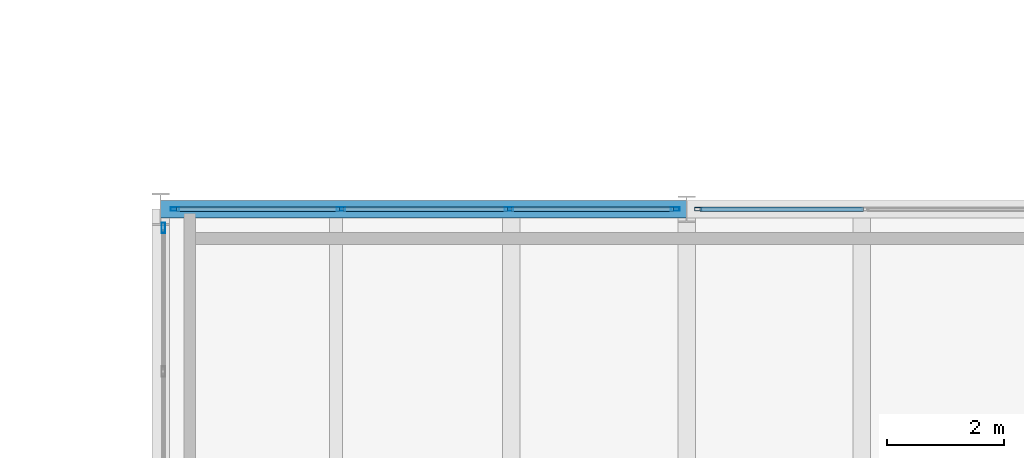
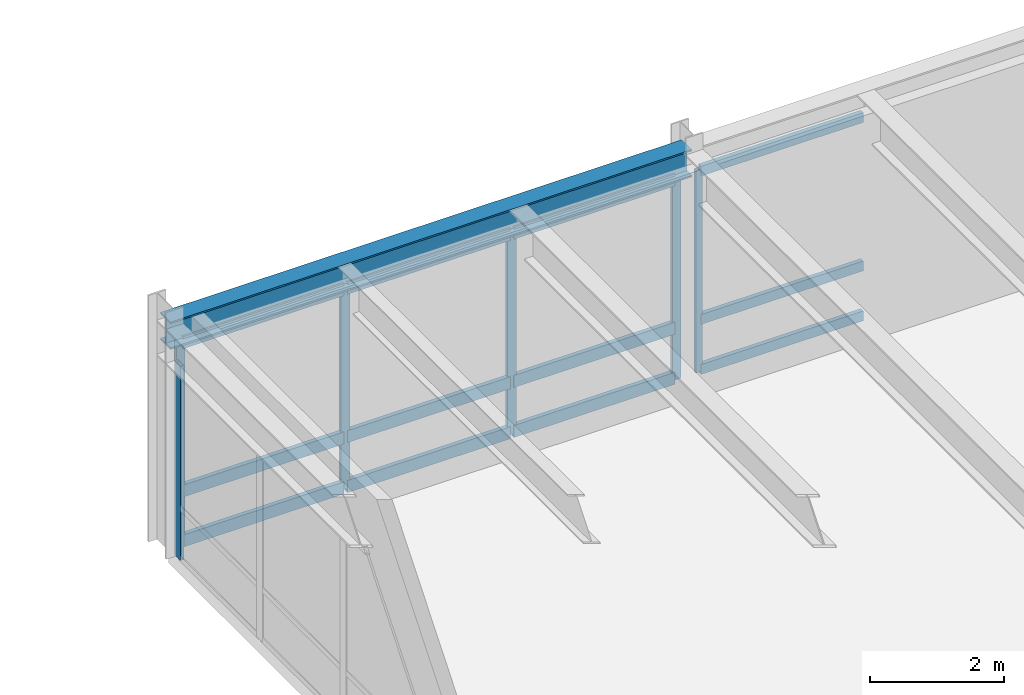
# One storey, part 85 of 142: 18 members, 1 beam, 3 elements without a shape of their own.
"""IFC4 building model written with IfcOpenShell, lengths in metres."""

from ifc_helpers import new_model, si_unit, direction, frame, origin, origin_2d, place, context, subcontext, project, spatial, hollow_rectangle, i_section, extrude, material, layer, layer_set, material_profile, profile_set, type_object, element, aggregate, save


model = new_model("IFC4")

# Units and contexts
model_context = context("Model", 3, precision=1e-05, world=origin(), true_north=direction((0.0, 1.0)))
body_context = subcontext(model_context, "Body", "Model", "MODEL_VIEW")
ifc_project = project(units=[si_unit("LENGTHUNIT", "METRE"), si_unit("AREAUNIT", "SQUARE_METRE"), si_unit("VOLUMEUNIT", "CUBIC_METRE"), si_unit("PLANEANGLEUNIT", "RADIAN"), si_unit("MASSUNIT", "GRAM", prefix="KILO")], contexts=[model_context])

# Site, building, storey
site_placement = place(None, origin())
site = spatial("IfcSite", under=ifc_project, at=site_placement, CompositionType="ELEMENT")
building_placement = place(site_placement, origin())
building = spatial("IfcBuilding", under=site, at=building_placement, Name="Montelvaro Courts of Justice", CompositionType="ELEMENT")
storey_placement = place(building_placement, frame((0.0, 0.0, 14.39990234375)))
storey = spatial("IfcBuildingStorey", under=building, at=storey_placement, Name="L03", CompositionType="ELEMENT", Elevation=14.39990234375)

# Beam
ifc_material_1 = material(Name="Steel S355", Category="steel")
ifc_material_profile_1 = material_profile(ifc_material_1, i_section(OverallWidth=0.300048828125, OverallDepth=0.5, WebThickness=0.014404296875, FlangeThickness=0.028076171875, at=origin_2d()), Name="HEB 500")
ifc_profile_set_1 = profile_set([ifc_material_profile_1], Name="Steel S355")
beam_type = type_object("IfcBeamType", Name="Beam_HEB500", PredefinedType="USERDEFINED", material=ifc_profile_set_1)
beam_placement = place(storey_placement, frame((99.0, 96.0, 3.9501953125), z_axis=(1.0, 0.0, 0.0), x_axis=(0.0, 1.0, 0.0)))
element("IfcBeam", 1, at=beam_placement, inside=storey, type_object=beam_type, Name="Beam B-25 L03", ObjectType="GIRDER", PredefinedType="USERDEFINED", context=body_context, shape_type="SweptSolid", body=[
    extrude(i_section(OverallWidth=0.300048828125, OverallDepth=0.5, WebThickness=0.014404296875, FlangeThickness=0.028076171875, at=origin_2d()), origin(), (0.0, 0.0, 1.0), 9.0),
])

# Curtain wall, member
ifc_material_2 = material(Name="Anodised aluminium EN AW-6063", Category="aluminium")
ifc_layer_1 = layer(ifc_material_2, 0.159912109375)
ifc_layer_set_1 = layer_set([ifc_layer_1], Name="Anodised aluminium EN AW-6063")
curtain_wall_type_1 = type_object("IfcCurtainWallType", Name="CurtainWall_14_867x418", PredefinedType="USERDEFINED", material=ifc_layer_set_1)
curtain_wall_1_placement = place(storey_placement, origin())
curtain_wall_1 = element("IfcCurtainWall", 2, at=curtain_wall_1_placement, inside=storey, type_object=curtain_wall_type_1, Name="Curtain Wall CW-14 (L03)", ObjectType="CURTAIN WALL", PredefinedType="USERDEFINED")
ifc_material_profile_2 = material_profile(ifc_material_2, hollow_rectangle(XDim=0.06005859375, YDim=0.1201171875, WallThickness=0.00341796875, at=origin_2d()), Name="ALU-M 60x120")
ifc_profile_set_2 = profile_set([ifc_material_profile_2], Name="Anodised aluminium EN AW-6063")
member_type_1 = type_object("IfcMemberType", Name="CurtainWall_Mullion_60x120", PredefinedType="MULLION", material=ifc_profile_set_2)
member_1_placement = place(storey_placement, frame((108.195068359375, 96.0, 0.0), z_axis=(0.0, 0.0, 1.0), x_axis=(0.0, -1.0, 0.0)))
member_1 = element("IfcMember", 3, at=member_1_placement, type_object=member_type_1, Name="CW-14 mullion 4", PredefinedType="MULLION", context=body_context, shape_type="SweptSolid", body=[
    extrude(hollow_rectangle(XDim=0.06005859375, YDim=0.1201171875, WallThickness=0.00341796875, at=origin_2d()), origin(), (0.0, 0.0, 1.0), 3.695068359375),
])

# Curtain wall, members
ifc_layer_2 = layer(ifc_material_2, 0.159912109375)
ifc_layer_set_2 = layer_set([ifc_layer_2], Name="Anodised aluminium EN AW-6063")
curtain_wall_type_2 = type_object("IfcCurtainWallType", Name="CurtainWall_17_861x418", PredefinedType="USERDEFINED", material=ifc_layer_set_2)
curtain_wall_2_placement = place(storey_placement, origin())
curtain_wall_2 = element("IfcCurtainWall", 4, at=curtain_wall_2_placement, inside=storey, type_object=curtain_wall_type_2, Name="Curtain Wall CW-17 (L03)", ObjectType="CURTAIN WALL", PredefinedType="USERDEFINED")
ifc_material_profile_3 = material_profile(ifc_material_2, hollow_rectangle(XDim=0.06005859375, YDim=0.14990234375, WallThickness=0.00390625, at=origin_2d()), Name="ALU-M 60x150")
ifc_profile_set_3 = profile_set([ifc_material_profile_3], Name="Anodised aluminium EN AW-6063")
member_type_2 = type_object("IfcMemberType", Name="CurtainWall_Mullion_60x150", PredefinedType="MULLION", material=ifc_profile_set_3)
member_2_placement = place(storey_placement, frame((107.804931640625, 96.0, 0.0), z_axis=(0.0, 0.0, 1.0), x_axis=(0.0, -1.0, 0.0)))
member_2 = element("IfcMember", 5, at=member_2_placement, type_object=member_type_2, Name="CW-17 mullion 1", PredefinedType="MULLION", context=body_context, shape_type="SweptSolid", body=[
    extrude(hollow_rectangle(XDim=0.06005859375, YDim=0.14990234375, WallThickness=0.00390625, at=origin_2d()), origin(), (0.0, 0.0, 1.0), 3.695068359375),
])
member_3_placement = place(storey_placement, frame((104.961669921875, 96.0, 0.0), z_axis=(0.0, 0.0, 1.0), x_axis=(0.0, -1.0, 0.0)))
member_3 = element("IfcMember", 6, at=member_3_placement, type_object=member_type_2, Name="CW-17 mullion 2", PredefinedType="MULLION", context=body_context, shape_type="SweptSolid", body=[
    extrude(hollow_rectangle(XDim=0.06005859375, YDim=0.14990234375, WallThickness=0.00390625, at=origin_2d()), origin(), (0.0, 0.0, 1.0), 3.695068359375),
])
member_4_placement = place(storey_placement, frame((102.08837890625, 96.0, 0.0), z_axis=(0.0, 0.0, 1.0), x_axis=(0.0, -1.0, 0.0)))
member_4 = element("IfcMember", 7, at=member_4_placement, type_object=member_type_2, Name="CW-17 mullion 3", PredefinedType="MULLION", context=body_context, shape_type="SweptSolid", body=[
    extrude(hollow_rectangle(XDim=0.06005859375, YDim=0.14990234375, WallThickness=0.00390625, at=origin_2d()), origin(), (0.0, 0.0, 1.0), 3.695068359375),
])
member_5_placement = place(storey_placement, frame((99.2451171875, 96.0, 0.0), z_axis=(0.0, 0.0, 1.0), x_axis=(0.0, -1.0, 0.0)))
member_5 = element("IfcMember", 8, at=member_5_placement, type_object=member_type_2, Name="CW-17 mullion 4", PredefinedType="MULLION", context=body_context, shape_type="SweptSolid", body=[
    extrude(hollow_rectangle(XDim=0.06005859375, YDim=0.14990234375, WallThickness=0.00390625, at=origin_2d()), origin(), (0.0, 0.0, 1.0), 3.695068359375),
])

# Curtain wall, member
ifc_layer_3 = layer(ifc_material_2, 0.159912109375)
ifc_layer_set_3 = layer_set([ifc_layer_3], Name="Anodised aluminium EN AW-6063")
curtain_wall_type_3 = type_object("IfcCurtainWallType", Name="CurtainWall_30_1742x418", PredefinedType="USERDEFINED", material=ifc_layer_set_3)
curtain_wall_3_placement = place(storey_placement, origin())
curtain_wall_3 = element("IfcCurtainWall", 9, at=curtain_wall_3_placement, inside=storey, type_object=curtain_wall_type_3, Name="Curtain Wall CW-30 (L03)", ObjectType="CURTAIN WALL", PredefinedType="USERDEFINED")
ifc_material_profile_4 = material_profile(ifc_material_2, hollow_rectangle(XDim=0.06005859375, YDim=0.179931640625, WallThickness=0.00439453125, at=origin_2d()), Name="ALU-M 60x180")
ifc_profile_set_4 = profile_set([ifc_material_profile_4], Name="Anodised aluminium EN AW-6063")
member_type_3 = type_object("IfcMemberType", Name="CurtainWall_Mullion_60x180", PredefinedType="MULLION", material=ifc_profile_set_4)
member_6_placement = place(storey_placement, frame((99.050048828125, 95.679931640625, 0.0), z_axis=(0.0, 0.0, 1.0), x_axis=(1.0, 0.0, 0.0)))
member_6 = element("IfcMember", 10, at=member_6_placement, type_object=member_type_3, Name="CW-30 mullion 1", PredefinedType="MULLION", context=body_context, shape_type="SweptSolid", body=[
    extrude(hollow_rectangle(XDim=0.06005859375, YDim=0.179931640625, WallThickness=0.00439453125, at=origin_2d()), origin(), (0.0, 0.0, 1.0), 3.545166015625),
])
aggregate(curtain_wall_3, [member_6])

# Member
ifc_material_profile_5 = material_profile(ifc_material_2, hollow_rectangle(XDim=0.074951171875, YDim=0.179931640625, WallThickness=0.0048828125, at=origin_2d()), Name="ALU-T 75x180")
ifc_profile_set_5 = profile_set([ifc_material_profile_5], Name="Anodised aluminium EN AW-6063")
member_type_4 = type_object("IfcMemberType", Name="CurtainWall_Transom_75x180", PredefinedType="USERDEFINED", material=ifc_profile_set_5)
member_7_placement = place(storey_placement, frame((111.02490234375, 96.0, 0.03759765625), z_axis=(-1.0, 0.0, 0.0), x_axis=(0.0, -1.0, 0.0)))
member_7 = element("IfcMember", 11, at=member_7_placement, type_object=member_type_4, Name="CW-14 transom 3.1", ObjectType="TRANSOM", PredefinedType="USERDEFINED", context=body_context, shape_type="SweptSolid", body=[
    extrude(hollow_rectangle(XDim=0.074951171875, YDim=0.179931640625, WallThickness=0.0048828125, at=origin_2d()), origin(), (0.0, 0.0, 1.0), 2.7998046875),
])

member_8_placement = place(storey_placement, frame((111.02490234375, 96.0, 0.9501953125), z_axis=(-1.0, 0.0, 0.0), x_axis=(0.0, -1.0, 0.0)))
member_8 = element("IfcMember", 12, at=member_8_placement, type_object=member_type_4, Name="CW-14 transom 3.2", ObjectType="TRANSOM", PredefinedType="USERDEFINED", context=body_context, shape_type="SweptSolid", body=[
    extrude(hollow_rectangle(XDim=0.074951171875, YDim=0.179931640625, WallThickness=0.0048828125, at=origin_2d()), origin(), (0.0, 0.0, 1.0), 2.7998046875),
])

member_9_placement = place(storey_placement, frame((111.02490234375, 96.0, 3.65771484375), z_axis=(-1.0, 0.0, 0.0), x_axis=(0.0, -1.0, 0.0)))
member_9 = element("IfcMember", 13, at=member_9_placement, type_object=member_type_4, Name="CW-14 transom 3.3", ObjectType="TRANSOM", PredefinedType="USERDEFINED", context=body_context, shape_type="SweptSolid", body=[
    extrude(hollow_rectangle(XDim=0.074951171875, YDim=0.179931640625, WallThickness=0.0048828125, at=origin_2d()), origin(), (0.0, 0.0, 1.0), 2.7998046875),
])

aggregate(curtain_wall_1, [member_1, member_7, member_8, member_9])

ifc_material_profile_6 = material_profile(ifc_material_2, hollow_rectangle(XDim=0.074951171875, YDim=0.219970703125, WallThickness=0.005615234375, at=origin_2d()), Name="ALU-T 75x220")
ifc_profile_set_6 = profile_set([ifc_material_profile_6], Name="Anodised aluminium EN AW-6063")
member_type_5 = type_object("IfcMemberType", Name="CurtainWall_Transom_75x220", PredefinedType="USERDEFINED", material=ifc_profile_set_6)
member_10_placement = place(storey_placement, frame((107.77490234375, 96.0, 0.03759765625), z_axis=(-1.0, 0.0, 0.0), x_axis=(0.0, -1.0, 0.0)))
member_10 = element("IfcMember", 14, at=member_10_placement, type_object=member_type_5, Name="CW-17 transom 1.1", ObjectType="TRANSOM", PredefinedType="USERDEFINED", context=body_context, shape_type="SweptSolid", body=[
    extrude(hollow_rectangle(XDim=0.074951171875, YDim=0.219970703125, WallThickness=0.005615234375, at=origin_2d()), origin(), (0.0, 0.0, 1.0), 2.783203125),
])

member_11_placement = place(storey_placement, frame((107.77490234375, 96.0, 0.9501953125), z_axis=(-1.0, 0.0, 0.0), x_axis=(0.0, -1.0, 0.0)))
member_11 = element("IfcMember", 15, at=member_11_placement, type_object=member_type_5, Name="CW-17 transom 1.2", ObjectType="TRANSOM", PredefinedType="USERDEFINED", context=body_context, shape_type="SweptSolid", body=[
    extrude(hollow_rectangle(XDim=0.074951171875, YDim=0.219970703125, WallThickness=0.005615234375, at=origin_2d()), origin(), (0.0, 0.0, 1.0), 2.783203125),
])

member_12_placement = place(storey_placement, frame((107.77490234375, 96.0, 3.65771484375), z_axis=(-1.0, 0.0, 0.0), x_axis=(0.0, -1.0, 0.0)))
member_12 = element("IfcMember", 16, at=member_12_placement, type_object=member_type_5, Name="CW-17 transom 1.3", ObjectType="TRANSOM", PredefinedType="USERDEFINED", context=body_context, shape_type="SweptSolid", body=[
    extrude(hollow_rectangle(XDim=0.074951171875, YDim=0.219970703125, WallThickness=0.005615234375, at=origin_2d()), origin(), (0.0, 0.0, 1.0), 2.783203125),
])

member_13_placement = place(storey_placement, frame((104.931640625, 96.0, 0.03759765625), z_axis=(-1.0, 0.0, 0.0), x_axis=(0.0, -1.0, 0.0)))
member_13 = element("IfcMember", 17, at=member_13_placement, type_object=member_type_5, Name="CW-17 transom 2.1", ObjectType="TRANSOM", PredefinedType="USERDEFINED", context=body_context, shape_type="SweptSolid", body=[
    extrude(hollow_rectangle(XDim=0.074951171875, YDim=0.219970703125, WallThickness=0.005615234375, at=origin_2d()), origin(), (0.0, 0.0, 1.0), 2.813232421875),
])

member_14_placement = place(storey_placement, frame((104.931640625, 96.0, 0.9501953125), z_axis=(-1.0, 0.0, 0.0), x_axis=(0.0, -1.0, 0.0)))
member_14 = element("IfcMember", 18, at=member_14_placement, type_object=member_type_5, Name="CW-17 transom 2.2", ObjectType="TRANSOM", PredefinedType="USERDEFINED", context=body_context, shape_type="SweptSolid", body=[
    extrude(hollow_rectangle(XDim=0.074951171875, YDim=0.219970703125, WallThickness=0.005615234375, at=origin_2d()), origin(), (0.0, 0.0, 1.0), 2.813232421875),
])

member_15_placement = place(storey_placement, frame((104.931640625, 96.0, 3.65771484375), z_axis=(-1.0, 0.0, 0.0), x_axis=(0.0, -1.0, 0.0)))
member_15 = element("IfcMember", 19, at=member_15_placement, type_object=member_type_5, Name="CW-17 transom 2.3", ObjectType="TRANSOM", PredefinedType="USERDEFINED", context=body_context, shape_type="SweptSolid", body=[
    extrude(hollow_rectangle(XDim=0.074951171875, YDim=0.219970703125, WallThickness=0.005615234375, at=origin_2d()), origin(), (0.0, 0.0, 1.0), 2.813232421875),
])

member_16_placement = place(storey_placement, frame((102.058349609375, 96.0, 0.03759765625), z_axis=(-1.0, 0.0, 0.0), x_axis=(0.0, -1.0, 0.0)))
member_16 = element("IfcMember", 20, at=member_16_placement, type_object=member_type_5, Name="CW-17 transom 3.1", ObjectType="TRANSOM", PredefinedType="USERDEFINED", context=body_context, shape_type="SweptSolid", body=[
    extrude(hollow_rectangle(XDim=0.074951171875, YDim=0.219970703125, WallThickness=0.005615234375, at=origin_2d()), origin(), (0.0, 0.0, 1.0), 2.783447265625),
])

member_17_placement = place(storey_placement, frame((102.058349609375, 96.0, 0.9501953125), z_axis=(-1.0, 0.0, 0.0), x_axis=(0.0, -1.0, 0.0)))
member_17 = element("IfcMember", 21, at=member_17_placement, type_object=member_type_5, Name="CW-17 transom 3.2", ObjectType="TRANSOM", PredefinedType="USERDEFINED", context=body_context, shape_type="SweptSolid", body=[
    extrude(hollow_rectangle(XDim=0.074951171875, YDim=0.219970703125, WallThickness=0.005615234375, at=origin_2d()), origin(), (0.0, 0.0, 1.0), 2.783447265625),
])

member_18_placement = place(storey_placement, frame((102.058349609375, 96.0, 3.65771484375), z_axis=(-1.0, 0.0, 0.0), x_axis=(0.0, -1.0, 0.0)))
member_18 = element("IfcMember", 22, at=member_18_placement, type_object=member_type_5, Name="CW-17 transom 3.3", ObjectType="TRANSOM", PredefinedType="USERDEFINED", context=body_context, shape_type="SweptSolid", body=[
    extrude(hollow_rectangle(XDim=0.074951171875, YDim=0.219970703125, WallThickness=0.005615234375, at=origin_2d()), origin(), (0.0, 0.0, 1.0), 2.783447265625),
])

aggregate(curtain_wall_2, [member_2, member_3, member_4, member_5, member_10, member_11, member_12, member_13, member_14, member_15, member_16, member_17, member_18])

save(model, "model.ifc")
